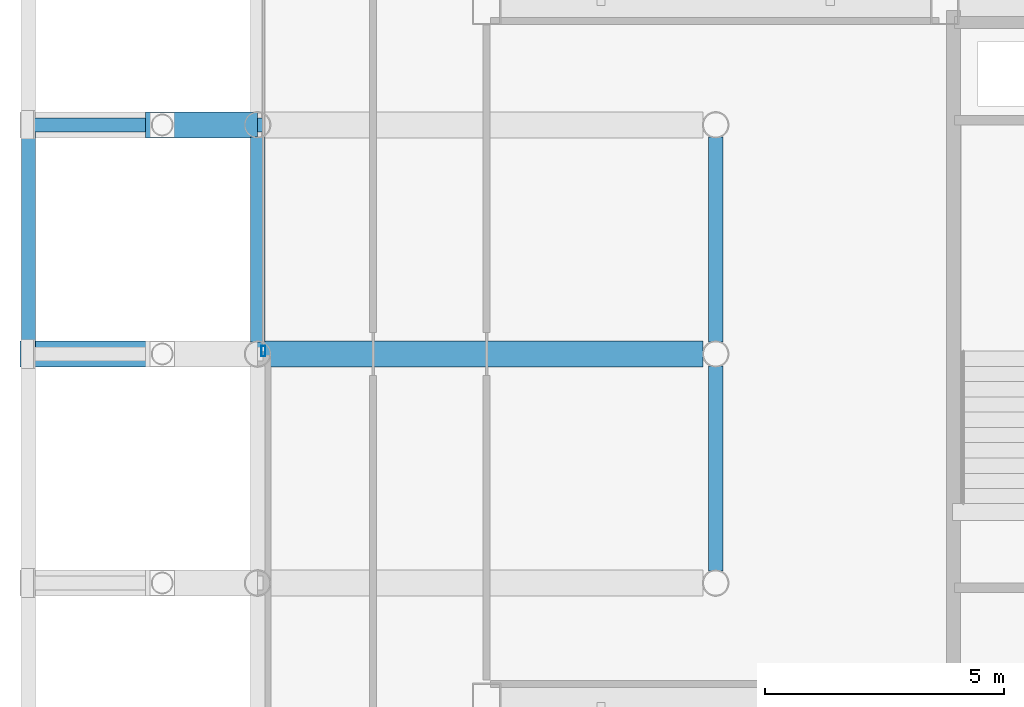
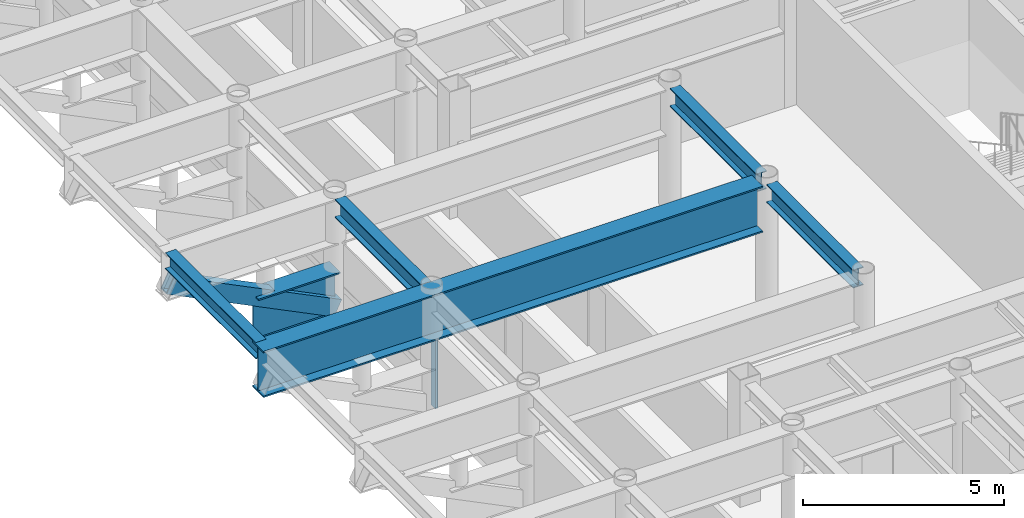
# One storey, part 8 of 27: 6 beams, 2 members, 1 element without a shape of its own.
"""IFC4 building model written with IfcOpenShell, lengths in metres."""

from ifc_helpers import new_model, si_unit, direction, frame, origin, origin_2d, place, context, subcontext, project, spatial, hollow_rectangle, i_section, extrude, material, layer, layer_set, material_profile, profile_set, type_object, element, aggregate, save


model = new_model("IFC4")

# Units and contexts
model_context = context("Model", 3, precision=1e-05, world=origin(), true_north=direction((0.0, 1.0)))
body_context = subcontext(model_context, "Body", "Model", "MODEL_VIEW")
ifc_project = project(units=[si_unit("LENGTHUNIT", "METRE"), si_unit("AREAUNIT", "SQUARE_METRE"), si_unit("VOLUMEUNIT", "CUBIC_METRE"), si_unit("PLANEANGLEUNIT", "RADIAN"), si_unit("MASSUNIT", "GRAM", prefix="KILO")], contexts=[model_context])

# Site, building, storey
site_placement = place(None, origin())
site = spatial("IfcSite", under=ifc_project, at=site_placement, CompositionType="ELEMENT")
building_placement = place(site_placement, origin())
building = spatial("IfcBuilding", under=site, at=building_placement, Name="Kallvorn Hotel Tower", CompositionType="ELEMENT")
storey_placement = place(building_placement, frame((0.0, 0.0, 245.39990234375)))
storey = spatial("IfcBuildingStorey", under=building, at=storey_placement, Name="L61", CompositionType="ELEMENT", Elevation=245.39990234375)

# Beams
ifc_material_1 = material(Name="Structural steel S355JR", Category="steel")
ifc_material_profile_1 = material_profile(ifc_material_1, i_section(OverallWidth=0.300048828125, OverallDepth=0.5, WebThickness=0.014404296875, FlangeThickness=0.028076171875, at=origin_2d()), Name="HE 500 B")
ifc_profile_set_1 = profile_set([ifc_material_profile_1], Name="Structural steel S355JR")
beam_type_1 = type_object("IfcBeamType", Name="BM_HE500B", PredefinedType="SPANDREL", material=ifc_profile_set_1)
beam_1_placement = place(storey_placement, frame((-33.60009765625, 0.14990234375, 3.420166015625), z_axis=(0.0, 1.0, 0.0), x_axis=(-1.0, 0.0, 0.0)))
element("IfcBeam", 1, at=beam_1_placement, inside=storey, type_object=beam_type_1, Name="L62 Perimeter Spandrel 186", PredefinedType="SPANDREL", context=body_context, shape_type="SweptSolid", body=[
    extrude(i_section(OverallWidth=0.300048828125, OverallDepth=0.5, WebThickness=0.014404296875, FlangeThickness=0.028076171875, at=origin_2d()), origin(), (0.0, 0.0, 1.0), 4.5),
])
ifc_material_2 = material(Name="Structural steel S355JR", Category="steel")
ifc_material_profile_2 = material_profile(ifc_material_2, i_section(OverallWidth=0.300048828125, OverallDepth=0.550048828125, WebThickness=0.014892578125, FlangeThickness=0.029052734375, at=origin_2d()), Name="HE 550 B")
ifc_profile_set_2 = profile_set([ifc_material_profile_2], Name="Structural steel S355JR")
beam_type_2 = type_object("IfcBeamType", Name="BM_HE550B", PredefinedType="SPANDREL", material=ifc_profile_set_2)
for number, where, z_axis, x_axis, name in (
    (2, (-28.800048828125, 0.25439453125, 3.39501953125), (0.0, 1.0, 0.0), (-1.0, 0.0, 0.0), "L62 Primary Y-Girder 86"),
    (3, (-19.199951171875, -4.54541015625, 3.39501953125), (0.0, 1.0, 0.0), (-1.0, 0.0, 0.0), "L62 Primary Y-Girder 100"),
    (4, (-19.199951171875, 0.25439453125, 3.39501953125), (0.0, 1.0, 0.0), (-1.0, 0.0, 0.0), "L62 Primary Y-Girder 101"),
):
    element("IfcBeam", number, at=place(storey_placement, frame(where, z_axis=z_axis, x_axis=x_axis)), inside=storey, type_object=beam_type_2, Name=name, PredefinedType="SPANDREL", context=body_context, shape_type="SweptSolid", body=[
        extrude(i_section(OverallWidth=0.300048828125, OverallDepth=0.550048828125, WebThickness=0.014892578125, FlangeThickness=0.029052734375, at=origin_2d()), origin(), (0.0, 0.0, 1.0), 4.291015625),
    ])
ifc_material_3 = material(Name="Structural steel S355JR", Category="steel")
ifc_material_profile_3 = material_profile(ifc_material_3, i_section(OverallWidth=0.550048828125, OverallDepth=1.39990234375, WebThickness=0.02490234375, FlangeThickness=0.044921875, at=origin_2d()), Name="PG 1400x550x25x45")
ifc_profile_set_3 = profile_set([ifc_material_profile_3], Name="Structural steel S355JR")
beam_type_3 = type_object("IfcBeamType", Name="BM_PG_1400", PredefinedType="BEAM", material=ifc_profile_set_3)
beam_2_placement = place(storey_placement, frame((-19.469482421875, 0.0, 2.97021484375), z_axis=(-1.0, 0.0, 0.0), x_axis=(0.0, -1.0, 0.0)))
element("IfcBeam", 5, at=beam_2_placement, inside=storey, type_object=beam_type_3, Name="L62 Continuous Cantilever Transfer Girder 04", PredefinedType="BEAM", context=body_context, shape_type="SweptSolid", body=[
    extrude(i_section(OverallWidth=0.550048828125, OverallDepth=1.39990234375, WebThickness=0.02490234375, FlangeThickness=0.044921875, at=origin_2d()), origin(), (0.0, 0.0, 1.0), 14.310546875),
])
beam_3_placement = place(storey_placement, frame((-28.800048828125, 4.800048828125, 0.72021484375), z_axis=(-1.0, 0.0, 0.0), x_axis=(0.0, -1.0, 0.0)))
element("IfcBeam", 6, at=beam_3_placement, inside=storey, type_object=beam_type_3, Name="L62 Cantilever Haunch Corbel 05", PredefinedType="BEAM", context=body_context, shape_type="SweptSolid", body=[
    extrude(i_section(OverallWidth=0.550048828125, OverallDepth=1.39990234375, WebThickness=0.02490234375, FlangeThickness=0.044921875, at=origin_2d()), origin(), (0.0, 0.0, 1.0), 2.349853515625),
])

# Curtain wall, member
ifc_material_4 = material(Name="Thermally broken black-anodised aluminium AA 6063-T6", Category="aluminium")
ifc_layer = layer(ifc_material_4, 0.22998046875)
ifc_layer_set = layer_set([ifc_layer], Name="CW_SYS_5_HOTEL_HIGH")
curtain_wall_type = type_object("IfcCurtainWallType", Name="CW_SYS_5_HOTEL_HIGH", PredefinedType="USERDEFINED", material=ifc_layer_set)
curtain_wall_placement = place(storey_placement, origin())
curtain_wall = element("IfcCurtainWall", 7, at=curtain_wall_placement, inside=storey, type_object=curtain_wall_type, Name="L61 Dark-Glass Curtain Wall CW-L61-WN", ObjectType="UNITISED CURTAIN WALL", PredefinedType="USERDEFINED")
ifc_material_5 = material(Name="Thermally broken black-anodised aluminium AA 6063-T6", Category="aluminium")
ifc_material_profile_4 = material_profile(ifc_material_5, hollow_rectangle(XDim=0.080078125, YDim=0.219970703125, WallThickness=0.0048828125, at=origin_2d()), Name="MUL 220x80")
ifc_profile_set_4 = profile_set([ifc_material_profile_4], Name="Thermally broken black-anodised aluminium AA 6063-T6")
member_type_1 = type_object("IfcMemberType", Name="CW_MULLION_220x80", PredefinedType="MULLION", material=ifc_profile_set_4)
member_1_placement = place(storey_placement, frame((-28.679931640625, 0.06005859375, 0.02001953125), z_axis=(0.0, 0.0, 1.0), x_axis=(1.0, 0.0, 0.0)))
member_1 = element("IfcMember", 8, at=member_1_placement, type_object=member_type_1, Name="CW-L61-WN Mullion 00", PredefinedType="MULLION", context=body_context, shape_type="SweptSolid", body=[
    extrude(hollow_rectangle(XDim=0.080078125, YDim=0.219970703125, WallThickness=0.0048828125, at=origin_2d()), origin(), (0.0, 0.0, 1.0), 2.22998046875),
])
aggregate(curtain_wall, [member_1])

# Member
ifc_material_6 = material(Name="Structural steel S355J2H", Category="steel")
ifc_material_profile_5 = material_profile(ifc_material_6, hollow_rectangle(XDim=0.300048828125, YDim=0.5, WallThickness=0.02490234375, at=origin_2d()), Name="RHS 500x300x25")
ifc_profile_set_5 = profile_set([ifc_material_profile_5], Name="Structural steel S355J2H")
member_type_2 = type_object("IfcMemberType", Name="MBR_OUTRIGGER_RHS500", PredefinedType="BRACE", material=ifc_profile_set_5)
member_2_placement = place(storey_placement, frame((-28.800048828125, 4.800048828125, 0.25), z_axis=(-0.896650696442, 0.0, 0.442738668484), x_axis=(0.0, -1.0, 0.0)))
element("IfcMember", 9, at=member_2_placement, inside=storey, type_object=member_type_2, Name="L62 Exoskeleton Cantilever Raking Strut 05", PredefinedType="BRACE", context=body_context, shape_type="SweptSolid", body=[
    extrude(hollow_rectangle(XDim=0.300048828125, YDim=0.5, WallThickness=0.02490234375, at=origin_2d()), origin(), (0.0, 0.0, 1.0), 5.353271484375),
])

save(model, "model.ifc")
